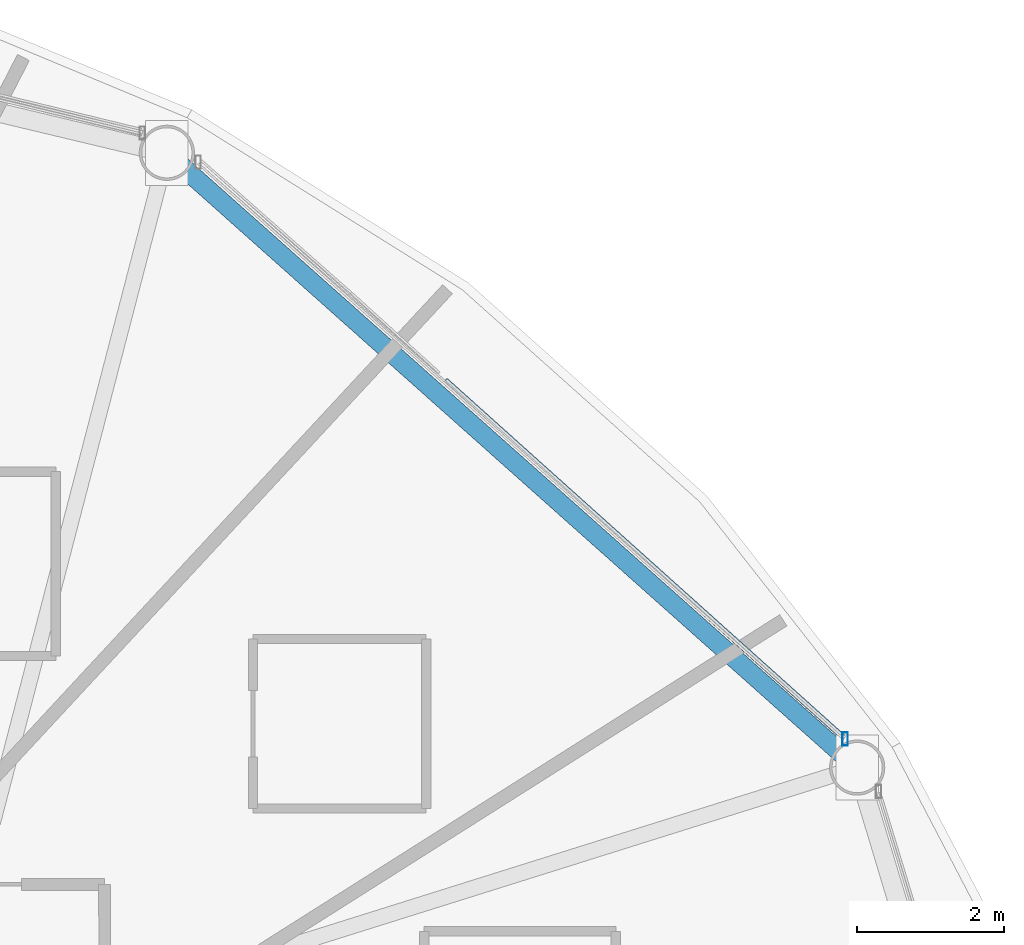
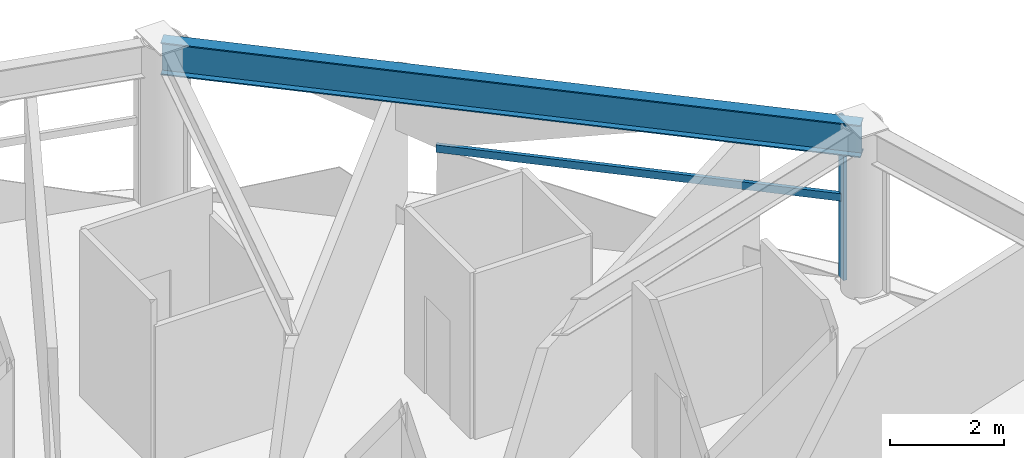
# One storey, part 20 of 32: 2 members, 1 beam, 1 element without a shape of its own.
"""IFC4 building model written with IfcOpenShell, lengths in metres."""

from ifc_helpers import new_model, si_unit, direction, frame, origin, origin_2d, place, context, subcontext, project, spatial, hollow_rectangle, i_section, extrude, material, layer, layer_set, material_profile, profile_set, type_object, element, aggregate, save


model = new_model("IFC4")

# Units and contexts
model_context = context("Model", 3, precision=1e-05, world=origin(), true_north=direction((0.0, 1.0)))
body_context = subcontext(model_context, "Body", "Model", "MODEL_VIEW")
ifc_project = project(units=[si_unit("LENGTHUNIT", "METRE"), si_unit("AREAUNIT", "SQUARE_METRE"), si_unit("VOLUMEUNIT", "CUBIC_METRE"), si_unit("PLANEANGLEUNIT", "RADIAN"), si_unit("MASSUNIT", "GRAM", prefix="KILO")], contexts=[model_context])

# Site, building, storey
site_placement = place(None, origin())
site = spatial("IfcSite", under=ifc_project, at=site_placement, CompositionType="ELEMENT")
building_placement = place(site_placement, origin())
building = spatial("IfcBuilding", under=site, at=building_placement, Name="Vantalir Tower", CompositionType="ELEMENT")
storey_placement = place(building_placement, frame((0.0, 0.0, 100.949951171875)))
storey = spatial("IfcBuildingStorey", under=building, at=storey_placement, Name="L24", CompositionType="ELEMENT", Elevation=100.949951171875)

# Beam
ifc_material_1 = material(Name="Steel S460", Category="steel")
ifc_material_profile_1 = material_profile(ifc_material_1, i_section(OverallWidth=0.256103515625, OverallDepth=0.693115234375, WebThickness=0.014404296875, FlangeThickness=0.023681640625, at=origin_2d()), Name="Steel S460")
ifc_profile_set_1 = profile_set([ifc_material_profile_1], Name="Steel S460")
beam_type = type_object("IfcBeamType", Name="BM-RG-686x254", PredefinedType="USERDEFINED", material=ifc_profile_set_1)
beam_placement = place(storey_placement, frame((53.659912109375, 36.39404296875, 3.22314453125), z_axis=(-0.746784993974, 0.665065540211, 0.0), x_axis=(-0.665065540211, -0.746784993974, 0.0)))
element("IfcBeam", 1, at=beam_placement, inside=storey, type_object=beam_type, Name="L24 Circumferential Ring Girder 02", ObjectType="GIRDER", PredefinedType="USERDEFINED", context=body_context, shape_type="SweptSolid", body=[
    extrude(i_section(OverallWidth=0.256103515625, OverallDepth=0.693115234375, WebThickness=0.014404296875, FlangeThickness=0.023681640625, at=origin_2d()), origin(), (0.0, 0.0, 1.0), 12.541748046875),
])

# Curtain wall, members
ifc_material_2 = material(Name="Champagne-silver PVDF aluminium and double-silver Low-E glass", Category="aluminium")
ifc_layer = layer(ifc_material_2, 0.199951171875)
ifc_layer_set = layer_set([ifc_layer], Name="Champagne-silver PVDF aluminium and double-silver Low-E glass")
curtain_wall_type = type_object("IfcCurtainWallType", Name="CW-DIAMOND-Z2", PredefinedType="USERDEFINED", material=ifc_layer_set)
curtain_wall_placement = place(storey_placement, origin())
curtain_wall = element("IfcCurtainWall", 2, at=curtain_wall_placement, inside=storey, type_object=curtain_wall_type, Name="L24 Quilted Pyramid-Diamond Curtain Wall S02", ObjectType="UNITISED CURTAIN WALL", PredefinedType="USERDEFINED")
ifc_material_3 = material(Name="Champagne-silver PVDF aluminium 6063-T6", Category="aluminium")
ifc_material_profile_2 = material_profile(ifc_material_3, hollow_rectangle(XDim=0.074951171875, YDim=0.179931640625, WallThickness=0.00390625, at=origin_2d()), Name="Champagne-silver PVDF aluminium 6063-T6")
ifc_profile_set_2 = profile_set([ifc_material_profile_2], Name="Champagne-silver PVDF aluminium 6063-T6")
member_type_1 = type_object("IfcMemberType", Name="CWM-180x75", PredefinedType="MULLION", material=ifc_profile_set_2)
member_1_placement = place(storey_placement, frame((53.49609375, 36.781982421875, 0.045166015625), z_axis=(0.0, 0.0, 1.0), x_axis=(1.0, 0.0, 0.0)))
member_1 = element("IfcMember", 3, at=member_1_placement, type_object=member_type_1, Name="CW-L24-S02 Mullion 1", PredefinedType="MULLION", context=body_context, shape_type="SweptSolid", body=[
    extrude(hollow_rectangle(XDim=0.074951171875, YDim=0.179931640625, WallThickness=0.00390625, at=origin_2d()), origin(), (0.0, 0.0, 1.0), 3.47998046875),
])
ifc_material_profile_3 = material_profile(ifc_material_3, hollow_rectangle(XDim=0.074951171875, YDim=0.159912109375, WallThickness=0.00390625, at=origin_2d()), Name="Champagne-silver PVDF aluminium 6063-T6")
ifc_profile_set_3 = profile_set([ifc_material_profile_3], Name="Champagne-silver PVDF aluminium 6063-T6")
member_type_2 = type_object("IfcMemberType", Name="CWT-160x75", PredefinedType="USERDEFINED", material=ifc_profile_set_3)
member_2_placement = place(storey_placement, frame((53.49609375, 36.781982421875, 1.78515625), z_axis=(-0.744284112495, 0.667863129606, 0.0), x_axis=(-0.667863129606, -0.744284112495, 0.0)))
member_2 = element("IfcMember", 4, at=member_2_placement, type_object=member_type_2, Name="CW-L24-S02 Pyramid Fold Ridge Transom", ObjectType="TRANSOM", PredefinedType="USERDEFINED", context=body_context, shape_type="SweptSolid", body=[
    extrude(hollow_rectangle(XDim=0.074951171875, YDim=0.159912109375, WallThickness=0.00390625, at=origin_2d()), origin(), (0.0, 0.0, 1.0), 7.290283203125),
])
aggregate(curtain_wall, [member_1, member_2])

save(model, "model.ifc")
